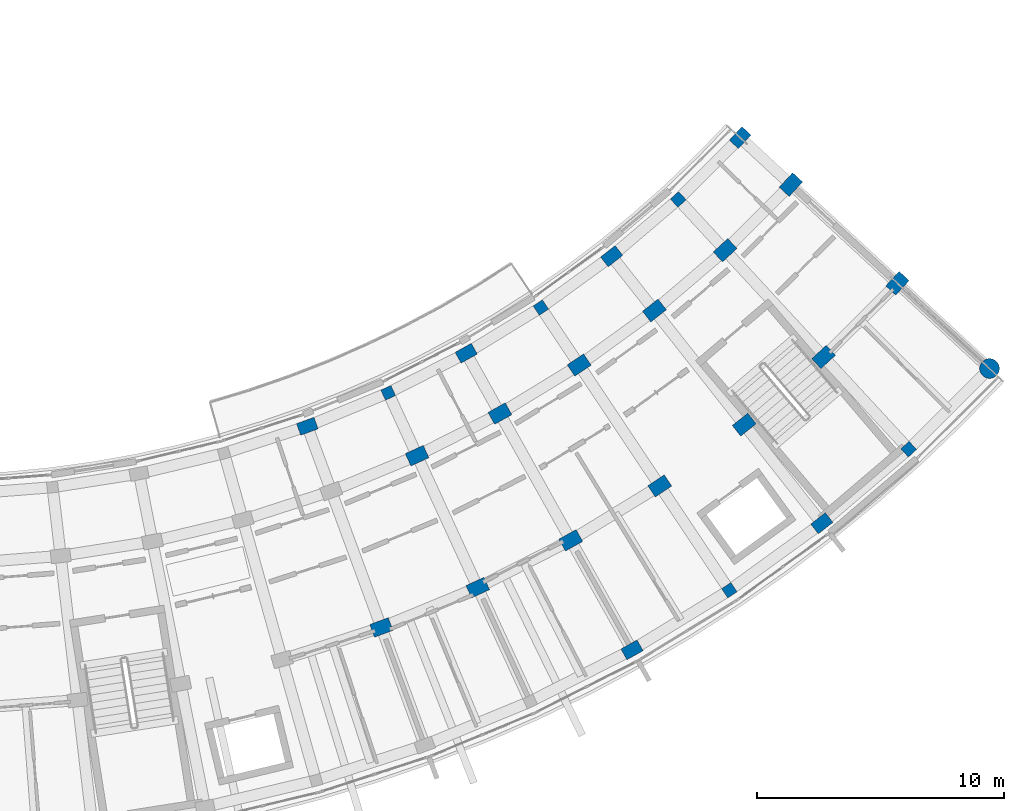
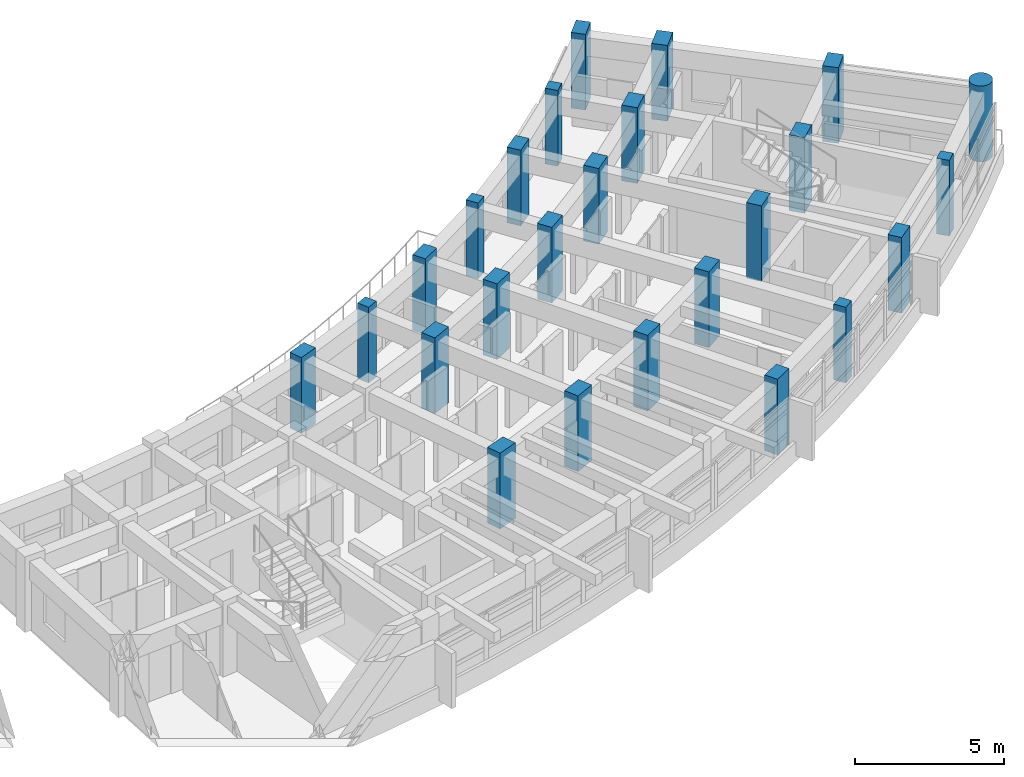
# One storey, part 2 of 56: 25 columns.
"""IFC4 building model written with IfcOpenShell, lengths in metres."""

from ifc_helpers import new_model, si_unit, direction, frame, origin, origin_2d, place, context, subcontext, project, spatial, rectangle, circle, extrude, material, material_profile, profile_set, type_object, element, save


model = new_model("IFC4")

# Units and contexts
model_context = context("Model", 3, precision=1e-05, world=origin(), true_north=direction((0.0, 1.0)))
body_context = subcontext(model_context, "Body", "Model", "MODEL_VIEW")
ifc_project = project(units=[si_unit("LENGTHUNIT", "METRE"), si_unit("AREAUNIT", "SQUARE_METRE"), si_unit("VOLUMEUNIT", "CUBIC_METRE"), si_unit("PLANEANGLEUNIT", "RADIAN"), si_unit("MASSUNIT", "GRAM", prefix="KILO")], contexts=[model_context])

# Site, building, storey
site_placement = place(None, origin())
site = spatial("IfcSite", under=ifc_project, at=site_placement, CompositionType="ELEMENT")
building_placement = place(site_placement, origin())
building = spatial("IfcBuilding", under=site, at=building_placement, Name="Zimvara Arc Housing Community", CompositionType="ELEMENT")
storey_placement = place(building_placement, frame((0.0, 0.0, 11.199951171875)))
storey = spatial("IfcBuildingStorey", under=building, at=storey_placement, Name="L03", CompositionType="ELEMENT", Elevation=11.199951171875)

# Columns
ifc_material_1 = material(Name="Concrete C40/50", Category="concrete")
ifc_material_profile_1 = material_profile(ifc_material_1, rectangle(XDim=0.449951171875, YDim=0.449951171875, at=origin_2d()), Name="RC 450x450")
ifc_profile_set_1 = profile_set([ifc_material_profile_1], Name="Concrete C40/50")
column_type_1 = type_object("IfcColumnType", Name="COL-RC-450x450", PredefinedType="COLUMN", material=ifc_profile_set_1)
for number, where, z_axis, x_axis, name in (
    (1, (144.834228515625, 68.8681640625, 0.0), (0.0, 0.0, 1.0), (0.417867073801, -0.908508177527, 0.0), "col:blkD:L03:b5:r0"),
    (2, (151.0146484375, 72.322265625, 0.0), (0.0, 0.0, 1.0), (0.554844427448, -0.83195412213, 0.0), "col:blkD:L03:b7:r0"),
    (3, (158.649169921875, 60.87451171875, 0.0), (0.0, 0.0, 1.0), (0.554844427448, -0.83195412213, 0.0), "col:blkD:L03:b7:r3"),
    (4, (156.57861328125, 76.70068359375, 0.0), (0.0, 0.0, 1.0), (0.678159669868, -0.73491459515, 0.0), "col:blkD:L03:b9:r0"),
    (5, (165.91015625, 66.588134765625, 0.0), (0.0, 0.0, 1.0), (0.678159669868, -0.73491459515, 0.0), "col:blkD:L03:b9:r3"),
):
    element("IfcColumn", number, at=place(storey_placement, frame(where, z_axis=z_axis, x_axis=x_axis)), inside=storey, type_object=column_type_1, Name=name, PredefinedType="COLUMN", context=body_context, shape_type="SweptSolid", body=[
        extrude(rectangle(XDim=0.449951171875, YDim=0.449951171875, at=origin_2d()), origin(), (0.0, 0.0, 1.0), 3.10009765625),
    ])
ifc_material_2 = material(Name="Concrete C40/50", Category="concrete")
ifc_material_profile_2 = material_profile(ifc_material_2, rectangle(XDim=0.5, YDim=0.75, at=origin_2d()), Name="RC 500x750")
ifc_profile_set_2 = profile_set([ifc_material_profile_2], Name="Concrete C40/50")
column_type_2 = type_object("IfcColumnType", Name="COL-RC-500x750", PredefinedType="COLUMN", material=ifc_profile_set_2)
for number, where, z_axis, x_axis, name in (
    (6, (141.559814453125, 67.51513671875, 0.0), (0.0, 0.0, 1.0), (0.345298198999, -0.93849302276, 0.0), "col:blkD:L03:b4:r0"),
    (7, (147.9921875, 70.473876953125, 0.0), (0.0, 0.0, 1.0), (0.487859659139, -0.87292207727, 0.0), "col:blkD:L03:b6:r0"),
    (8, (154.705078125, 58.46240234375, 0.0), (0.0, 0.0, 1.0), (0.487859659139, -0.87292207727, 0.0), "col:blkD:L03:b6:r3"),
    (9, (153.882568359375, 74.402099609375, 0.0), (0.0, 0.0, 1.0), (0.618408395358, -0.785856893175, 0.0), "col:blkD:L03:b8:r0"),
    (10, (162.391845703125, 63.5888671875, 0.0), (0.0, 0.0, 1.0), (0.618408395358, -0.785856893175, 0.0), "col:blkD:L03:b8:r3"),
    (11, (159.0859375, 79.20361328125, 0.0), (0.0, 0.0, 1.0), (0.733729864503, -0.679441304262, 0.0), "col:blkD:L03:b10:r0"),
):
    element("IfcColumn", number, at=place(storey_placement, frame(where, z_axis=z_axis, x_axis=x_axis)), inside=storey, type_object=column_type_2, Name=name, PredefinedType="COLUMN", context=body_context, shape_type="SweptSolid", body=[
        extrude(rectangle(XDim=0.5, YDim=0.75, at=origin_2d()), origin(), (0.0, 0.0, 1.0), 3.10009765625),
    ])
ifc_material_3 = material(Name="Concrete C40/50", Category="concrete")
ifc_material_profile_3 = material_profile(ifc_material_3, rectangle(XDim=0.550048828125, YDim=0.800048828125, at=origin_2d()), Name="RC 550x800")
ifc_profile_set_3 = profile_set([ifc_material_profile_3], Name="Concrete C40/50")
column_type_3 = type_object("IfcColumnType", Name="COL-RC-550x800", PredefinedType="COLUMN", material=ifc_profile_set_3)
for number, where, z_axis, x_axis, name in (
    (12, (144.55712890625, 59.369140625, 0.0), (0.0, 0.0, 1.0), (0.345298198999, -0.93849302276, 0.0), "col:blkD:L03:b4:r2"),
    (13, (146.004150390625, 66.32421875, 0.0), (0.0, 0.0, 1.0), (0.417867073801, -0.908508177527, 0.0), "col:blkD:L03:b5:r1"),
    (14, (148.461181640625, 60.982177734375, 0.0), (0.0, 0.0, 1.0), (0.417867073801, -0.908508177527, 0.0), "col:blkD:L03:b5:r2"),
    (15, (149.358154296875, 68.029541015625, 0.0), (0.0, 0.0, 1.0), (0.487859659139, -0.87292207727, 0.0), "col:blkD:L03:b6:r1"),
    (16, (152.226806640625, 62.896728515625, 0.0), (0.0, 0.0, 1.0), (0.487859659139, -0.87292207727, 0.0), "col:blkD:L03:b6:r2"),
    (17, (152.568115234375, 69.99267578125, 0.0), (0.0, 0.0, 1.0), (0.554844427448, -0.83195412213, 0.0), "col:blkD:L03:b7:r1"),
    (18, (155.83056640625, 65.100830078125, 0.0), (0.0, 0.0, 1.0), (0.554844427448, -0.83195412213, 0.0), "col:blkD:L03:b7:r2"),
    (19, (155.614013671875, 72.20166015625, 0.0), (0.0, 0.0, 1.0), (0.618408395358, -0.785856893175, 0.0), "col:blkD:L03:b8:r1"),
    (20, (159.25048828125, 67.580810546875, 0.0), (0.0, 0.0, 1.0), (0.618408395358, -0.785856893175, 0.0), "col:blkD:L03:b8:r2"),
    (21, (158.477294921875, 74.642822265625, 0.0), (0.0, 0.0, 1.0), (0.678159669868, -0.73491459515, 0.0), "col:blkD:L03:b9:r1"),
    (22, (162.465087890625, 70.321533203125, 0.0), (0.0, 0.0, 1.0), (0.678159669868, -0.73491459515, 0.0), "col:blkD:L03:b9:r2"),
    (23, (161.140380859375, 77.30126953125, 0.0), (0.0, 0.0, 1.0), (0.733729864503, -0.679441304262, 0.0), "col:blkD:L03:b10:r1"),
    (24, (165.45458984375, 73.30615234375, 0.0), (0.0, 0.0, 1.0), (0.733729864503, -0.679441304262, 0.0), "col:blkD:L03:b10:r2"),
):
    element("IfcColumn", number, at=place(storey_placement, frame(where, z_axis=z_axis, x_axis=x_axis)), inside=storey, type_object=column_type_3, Name=name, PredefinedType="COLUMN", context=body_context, shape_type="SweptSolid", body=[
        extrude(rectangle(XDim=0.550048828125, YDim=0.800048828125, at=origin_2d()), origin(), (0.0, 0.0, 1.0), 3.10009765625),
    ])
ifc_material_4 = material(Name="Concrete C40/50", Category="concrete")
ifc_material_profile_4 = material_profile(ifc_material_4, circle(Radius=0.39990234375, at=origin_2d()), Name="RC D800")
ifc_profile_set_4 = profile_set([ifc_material_profile_4], Name="Concrete C40/50")
column_type_4 = type_object("IfcColumnType", Name="COL-RC-D700", PredefinedType="COLUMN", material=ifc_profile_set_4)
column_placement = place(storey_placement, frame((169.18212890625, 69.8544921875, 0.0), z_axis=(0.0, 0.0, 1.0), x_axis=(0.733729864503, -0.679441304262, 0.0)))
element("IfcColumn", 25, at=column_placement, inside=storey, type_object=column_type_4, Name="col:blkD:L03:b10:r3", PredefinedType="COLUMN", context=body_context, shape_type="SweptSolid", body=[
    extrude(circle(Radius=0.39990234375, at=origin_2d()), origin(), (0.0, 0.0, 1.0), 3.10009765625),
])

save(model, "model.ifc")
